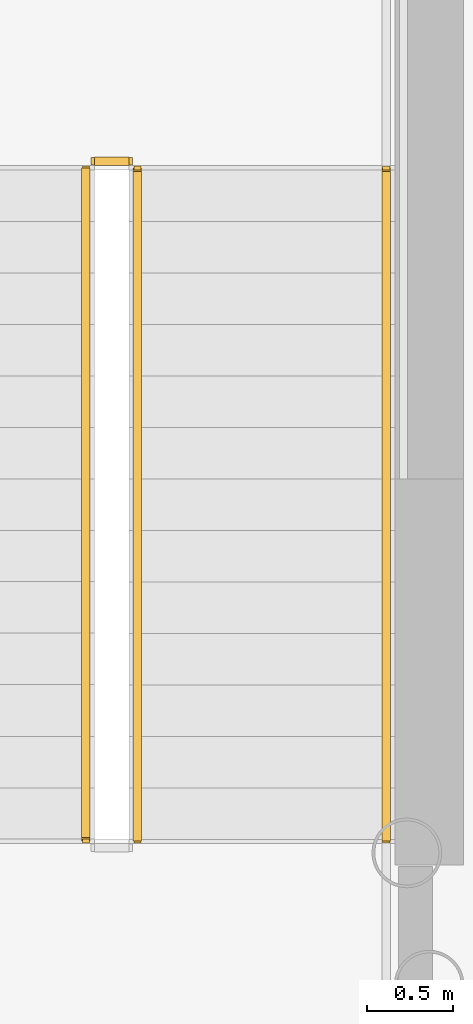
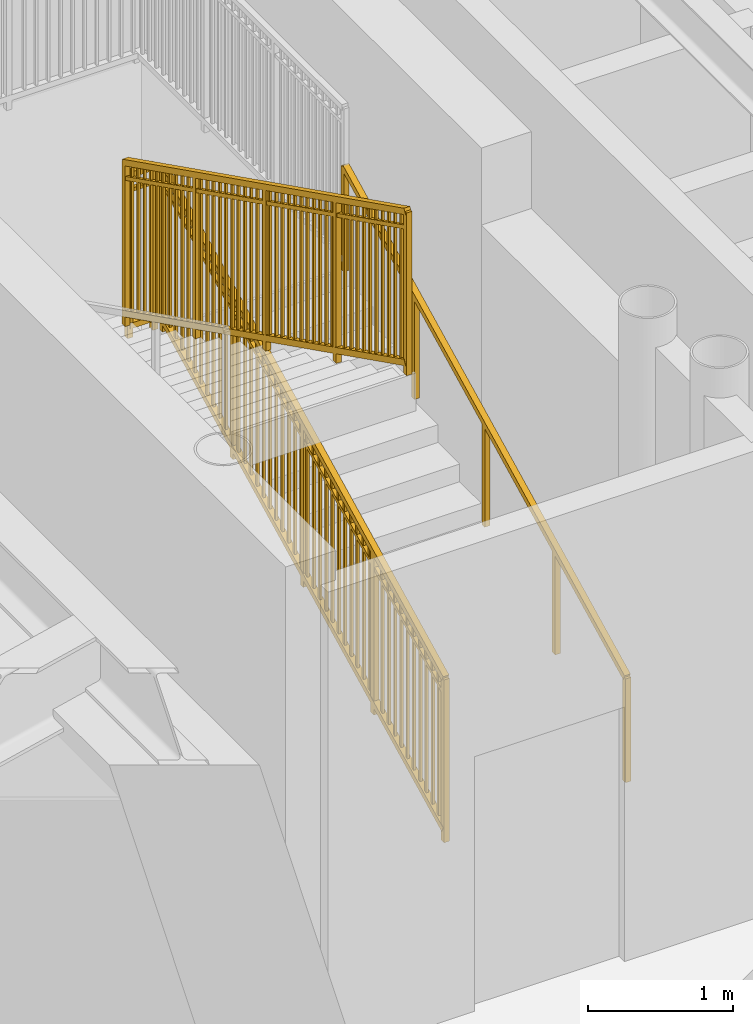
# One storey, part 28 of 35: 4 railings.
"""IFC4 building model written with IfcOpenShell, lengths in metres."""

import ifcopenshell
import ifcopenshell.guid

model = None  # the IFC model being written
_history = None  # IfcOwnerHistory: only IFC2X3 demands one
_inside = {}  # id of a spatial element -> (the spatial element, [elements in it])
_under = {}  # id of a project, library or spatial element -> (it, [spatial elements below it])
_declared = {}  # id of a project -> (the project, [libraries it declares])
_typed = {}  # id of a type object -> (the type object, [elements of that type])
_made_of = {}  # id of a material, layer set ... -> (it, [elements and type objects made of it])


def new_model(schema):
    """Start an empty IFC model of exactly this schema.

    Asked for "IFC4X3", IfcOpenShell would pick the latest addendum, in which some entities
    have other attributes; the version numbers below select the first issue.
    IFC2X3 requires an IfcOwnerHistory on every rooted entity: one is made here for all.
    """
    global model, _history
    if schema == "IFC4X3":
        model = ifcopenshell.file(schema_version=(4, 3, 0, 0))
    else:
        model = ifcopenshell.file(schema=schema)
    _inside.clear()
    _under.clear()
    _declared.clear()
    _typed.clear()
    _made_of.clear()
    _history = None
    if model.schema == "IFC2X3":
        org = make("IfcOrganization", Name="unknown")
        user = make(
            "IfcPersonAndOrganization",
            ThePerson=make("IfcPerson", FamilyName="unknown"),
            TheOrganization=org,
        )
        app = make(
            "IfcApplication",
            ApplicationDeveloper=org,
            Version="unknown",
            ApplicationFullName="unknown",
            ApplicationIdentifier="unknown",
        )
        _history = make(
            "IfcOwnerHistory",
            OwningUser=user,
            OwningApplication=app,
            ChangeAction="ADDED",
            CreationDate=0,
        )
    return model


def make(cls, **values):
    """One entity of the class cls with the attributes given. An attribute that is None is left unset."""
    return model.create_entity(
        cls, **{name: value for name, value in values.items() if value is not None}
    )


def rooted(cls, **values):
    """An entity with a GlobalId (a new one), such as an element, a storey or a relation."""
    return make(cls, GlobalId=ifcopenshell.guid.new(), OwnerHistory=_history, **values)


def si_unit(unit_type, name, prefix=None):
    """IfcSIUnit, for example si_unit("LENGTHUNIT", "METRE", prefix="MILLI")."""
    return make("IfcSIUnit", UnitType=unit_type, Prefix=prefix, Name=name)


def assignment(units):
    """IfcUnitAssignment: the units of a project."""
    return None if units is None else make("IfcUnitAssignment", Units=units)


def point(xyz):
    """IfcCartesianPoint."""
    return None if xyz is None else make("IfcCartesianPoint", Coordinates=xyz)


def direction(xyz):
    """IfcDirection."""
    return None if xyz is None else make("IfcDirection", DirectionRatios=xyz)


def frame(location, z_axis=None, x_axis=None):
    """IfcAxis2Placement3D, a coordinate frame: its origin and axes. An axis left out is left unset."""
    return make(
        "IfcAxis2Placement3D",
        Location=point(location),
        Axis=direction(z_axis),
        RefDirection=direction(x_axis),
    )


def frame_2d(location, x_axis=None):
    """IfcAxis2Placement2D, a coordinate frame in the plane: its origin and x axis."""
    return make(
        "IfcAxis2Placement2D", Location=point(location), RefDirection=direction(x_axis)
    )


def origin():
    """The frame at (0, 0, 0) with its axes left unset."""
    return frame((0.0, 0.0, 0.0))


def origin_2d():
    """The frame at (0, 0) in the plane with its x axis left unset."""
    return frame_2d((0.0, 0.0))


def place(relative_to, where):
    """IfcLocalPlacement: puts the frame where relative to a parent placement (None: the world)."""
    return make(
        "IfcLocalPlacement", PlacementRelTo=relative_to, RelativePlacement=where
    )


def context(
    kind, dimensions, precision=None, world=None, true_north=None, identifier=None
):
    """IfcGeometricRepresentationContext, for example the 3D "Model" context."""
    return make(
        "IfcGeometricRepresentationContext",
        ContextIdentifier=identifier,
        ContextType=kind,
        CoordinateSpaceDimension=dimensions,
        Precision=precision,
        WorldCoordinateSystem=world,
        TrueNorth=true_north,
    )


def subcontext(parent, identifier, kind, view, scale=None):
    """IfcGeometricRepresentationSubContext, for example "Body" below "Model"."""
    return make(
        "IfcGeometricRepresentationSubContext",
        ContextIdentifier=identifier,
        ContextType=kind,
        ParentContext=parent,
        TargetScale=scale,
        TargetView=view,
    )


def project(units=None, contexts=None):
    """IfcProject with its units and contexts."""
    return rooted(
        "IfcProject",
        Name="project",
        RepresentationContexts=contexts,
        UnitsInContext=assignment(units),
    )


def spatial(cls, under=None, at=None, **own):
    """A site, building, storey or space (cls), placed at a placement, below another one or the project."""
    s = rooted(cls, ObjectPlacement=at, **own)
    if under is not None:
        _under.setdefault(under.id(), (under, []))[1].append(s)
    return s


def profile(cls, at=None, kind="AREA", **sizes):
    """A parametric profile (cls). Its sizes go by their IFC names, for example OverallWidth=200.0."""
    return make(cls, ProfileType=kind, Position=at, **sizes)


def rectangle(**sizes):
    """IfcRectangleProfileDef."""
    return profile("IfcRectangleProfileDef", **sizes)


def extrude(swept, where, along, depth):
    """IfcExtrudedAreaSolid: the profile swept, set in the frame where, extruded along a direction by depth."""
    return make(
        "IfcExtrudedAreaSolid",
        SweptArea=swept,
        Position=where,
        ExtrudedDirection=direction(along),
        Depth=depth,
    )


def shape(context_of_items, identifier, shape_type, items):
    """IfcShapeRepresentation: the items that make up one representation, for example the "Body"."""
    return make(
        "IfcShapeRepresentation",
        ContextOfItems=context_of_items,
        RepresentationIdentifier=identifier,
        RepresentationType=shape_type,
        Items=items,
    )


def source(mapping_origin, context_of_items, identifier, shape_type, items):
    """IfcRepresentationMap: a shape defined once, which mapped items show again and again."""
    return make(
        "IfcRepresentationMap",
        MappingOrigin=mapping_origin,
        MappedRepresentation=shape(context_of_items, identifier, shape_type, items),
    )


def transform(
    local_origin,
    x_axis=None,
    y_axis=None,
    z_axis=None,
    scale=None,
    scale2=None,
    scale3=None,
    uniform=True,
):
    """IfcCartesianTransformationOperator3D, or its non-uniform kind. x_axis, y_axis, z_axis: its Axis1, 2, 3."""
    if uniform:
        return make(
            "IfcCartesianTransformationOperator3D",
            Axis1=direction(x_axis),
            Axis2=direction(y_axis),
            LocalOrigin=point(local_origin),
            Scale=scale,
            Axis3=direction(z_axis),
        )
    return make(
        "IfcCartesianTransformationOperator3DnonUniform",
        Axis1=direction(x_axis),
        Axis2=direction(y_axis),
        LocalOrigin=point(local_origin),
        Scale=scale,
        Axis3=direction(z_axis),
        Scale2=scale2,
        Scale3=scale3,
    )


def mapped(mapping_source, mapping_target):
    """IfcMappedItem: shows the shape of a source again, moved by a transform."""
    return make(
        "IfcMappedItem", MappingSource=mapping_source, MappingTarget=mapping_target
    )


def material(Name=None, Category=None):
    """IfcMaterial."""
    return make("IfcMaterial", Name=Name, Category=Category)


def made_of(thing, what):
    """Note that an element or type object is made of a material, layer set ...; save() writes the relation."""
    if what is not None:
        _made_of.setdefault(what.id(), (what, []))[1].append(thing)
    return thing


def type_object(cls, material=None, **own):
    """A type object (cls), such as IfcWallType, which elements share."""
    return made_of(rooted(cls, **own), material)


def element(
    cls,
    number,
    at=None,
    inside=None,
    cuts=None,
    type_object=None,
    material=None,
    context=None,
    identifier="Body",
    shape_type=None,
    held_by="IfcProductDefinitionShape",
    body=None,
    shapes=None,
    **own,
):
    """One element of the class cls, such as IfcWall. Its Tag is "e" and its number.

    at: its placement. inside: the storey or other place that contains it. cuts: it is an
    opening in that element (IfcRelVoidsElement). A single representation is given by context,
    identifier, shape_type and body (its items); several are given by shapes. held_by: the class
    of the entity that holds the representations. save() writes the other relations.
    """
    e = rooted(cls, Tag="e%d" % number, ObjectPlacement=at, **own)
    if body is not None:
        shapes = [shape(context, identifier, shape_type, body)]
    if shapes is not None:
        e.Representation = make(held_by, Representations=shapes)
    if inside is not None:
        _inside.setdefault(inside.id(), (inside, []))[1].append(e)
    if cuts is not None:
        rooted(
            "IfcRelVoidsElement", RelatingBuildingElement=cuts, RelatedOpeningElement=e
        )
    if type_object is not None:
        _typed.setdefault(type_object.id(), (type_object, []))[1].append(e)
    return made_of(e, material)


def aggregate(whole, parts):
    """IfcRelAggregates: a whole, such as a stair, and the parts it consists of."""
    return rooted("IfcRelAggregates", RelatingObject=whole, RelatedObjects=parts)


def save(model, path):
    """Write the relations noted so far, then the file.

    IfcRelAggregates (storeys below a building ...), IfcRelContainedInSpatialStructure (elements
    in a storey), IfcRelDefinesByType, IfcRelAssociatesMaterial and IfcRelDeclares: one each for
    every whole, place, type object, material and project.
    """
    for whole, parts in _under.values():
        aggregate(whole, parts)
    for where, things in _inside.values():
        rooted(
            "IfcRelContainedInSpatialStructure",
            RelatedElements=things,
            RelatingStructure=where,
        )
    for kind, things in _typed.values():
        rooted("IfcRelDefinesByType", RelatedObjects=things, RelatingType=kind)
    for what, things in _made_of.values():
        rooted("IfcRelAssociatesMaterial", RelatedObjects=things, RelatingMaterial=what)
    for by, libraries in _declared.values():
        rooted("IfcRelDeclares", RelatingContext=by, RelatedDefinitions=libraries)
    model.write(path)


model = new_model("IFC4")

# Units and contexts
model_context = context("Model", 3, precision=1e-05, world=origin(), true_north=direction((0.0, 1.0)))
body_context = subcontext(model_context, "Body", "Model", "MODEL_VIEW")
ifc_project = project(units=[si_unit("LENGTHUNIT", "METRE"), si_unit("AREAUNIT", "SQUARE_METRE"), si_unit("VOLUMEUNIT", "CUBIC_METRE"), si_unit("PLANEANGLEUNIT", "RADIAN"), si_unit("MASSUNIT", "GRAM", prefix="KILO")], contexts=[model_context])

# Site, building, storey
site_placement = place(None, origin())
site = spatial("IfcSite", under=ifc_project, at=site_placement, CompositionType="ELEMENT")
building_placement = place(site_placement, origin())
building = spatial("IfcBuilding", under=site, at=building_placement, Name="Linh Dai School and Residence Tower", CompositionType="ELEMENT")
storey_placement = place(building_placement, frame((0.0, 0.0, 49.199951171875)))
storey = spatial("IfcBuildingStorey", under=building, at=storey_placement, Name="L11", CompositionType="ELEMENT", Elevation=49.199951171875)

# Railings
ifc_material_1 = material(Name="Structural Steel S355JR", Category="steel")
railing_type_1 = type_object("IfcRailingType", Name="RL-ST-GUARD-1400", PredefinedType="GUARDRAIL", material=ifc_material_1)
shared_shape_1 = source(origin(), body_context, "Body", "SweptSolid", [
    extrude(rectangle(XDim=0.048095703125, YDim=0.048095703125, at=origin_2d()), frame((0.0, 0.0, 1.3759765625), z_axis=(-1.0, 0.0, 0.0), x_axis=(0.0, -1.0, 0.0)), (0.0, 0.0, 1.0), 0.199951171875),
    extrude(rectangle(XDim=0.048095703125, YDim=0.048095703125, at=origin_2d()), frame((0.0, 0.0, 0.10009765625), z_axis=(-1.0, 0.0, 0.0), x_axis=(0.0, -1.0, 0.0)), (0.0, 0.0, 1.0), 0.199951171875),
    extrude(rectangle(XDim=0.030029296875, YDim=0.030029296875, at=origin_2d()), frame((0.0, 0.0, 1.239990234375), z_axis=(-1.0, 0.0, 0.0), x_axis=(0.0, -1.0, 0.0)), (0.0, 0.0, 1.0), 0.199951171875),
    extrude(rectangle(XDim=0.0419921875, YDim=0.0419921875, at=origin_2d()), origin(), (0.0, 0.0, 1.0), 1.3759765625),
    extrude(rectangle(XDim=0.0419921875, YDim=0.0419921875, at=origin_2d()), frame((-0.199951171875, 0.0, 0.0)), (0.0, 0.0, 1.0), 1.3759765625),
])
railing_1_placement = place(storey_placement, frame((29.429931640625, 29.64990234375, 2.10009765625)))
element("IfcRailing", 1, at=railing_1_placement, inside=storey, type_object=railing_type_1, Name="L11 ST1 stair guard 2", PredefinedType="GUARDRAIL", context=body_context, shape_type="MappedRepresentation", body=[
    mapped(shared_shape_1, transform((0.0, 0.0, 0.0), x_axis=(1.0, 0.0, 0.0), y_axis=(0.0, 1.0, 0.0), z_axis=(0.0, 0.0, 1.0), scale=1.0)),
])
shared_shape_2 = source(origin(), body_context, "Body", "SweptSolid", [
    extrude(rectangle(XDim=0.048095703125, YDim=0.048095703125, at=origin_2d()), frame((0.0, 0.0, 1.3759765625), z_axis=(0.0, -0.894438388696, 0.447191199406), x_axis=(1.0, 0.0, 0.0)), (0.0, 0.0, 1.0), 4.3603515625),
    extrude(rectangle(XDim=0.048095703125, YDim=0.048095703125, at=origin_2d()), frame((0.0, 0.0, 0.10009765625), z_axis=(0.0, -0.894438388696, 0.447191199406), x_axis=(1.0, 0.0, 0.0)), (0.0, 0.0, 1.0), 4.3603515625),
    extrude(rectangle(XDim=0.030029296875, YDim=0.030029296875, at=origin_2d()), frame((0.0, 0.0, 1.239990234375), z_axis=(0.0, -0.894438388696, 0.447191199406), x_axis=(1.0, 0.0, 0.0)), (0.0, 0.0, 1.0), 4.3603515625),
    extrude(rectangle(XDim=0.02001953125, YDim=0.02001953125, at=origin_2d()), frame((0.0, -0.086669921875, 0.143310546875)), (0.0, 0.0, 1.0), 1.251708984375),
    extrude(rectangle(XDim=0.02001953125, YDim=0.02001953125, at=origin_2d()), frame((0.0, -0.17333984375, 0.186767578125)), (0.0, 0.0, 1.0), 1.251708984375),
    extrude(rectangle(XDim=0.02001953125, YDim=0.02001953125, at=origin_2d()), frame((0.0, -0.260009765625, 0.22998046875)), (0.0, 0.0, 1.0), 1.251708984375),
    extrude(rectangle(XDim=0.02001953125, YDim=0.02001953125, at=origin_2d()), frame((0.0, -0.3466796875, 0.2734375)), (0.0, 0.0, 1.0), 1.251708984375),
    extrude(rectangle(XDim=0.02001953125, YDim=0.02001953125, at=origin_2d()), frame((0.0, -0.433349609375, 0.316650390625)), (0.0, 0.0, 1.0), 1.251708984375),
    extrude(rectangle(XDim=0.02001953125, YDim=0.02001953125, at=origin_2d()), frame((0.0, -0.52001953125, 0.360107421875)), (0.0, 0.0, 1.0), 1.251708984375),
    extrude(rectangle(XDim=0.02001953125, YDim=0.02001953125, at=origin_2d()), frame((0.0, -0.606689453125, 0.4033203125)), (0.0, 0.0, 1.0), 1.251708984375),
    extrude(rectangle(XDim=0.02001953125, YDim=0.02001953125, at=origin_2d()), frame((0.0, -0.693359375, 0.44677734375)), (0.0, 0.0, 1.0), 1.251708984375),
    extrude(rectangle(XDim=0.02001953125, YDim=0.02001953125, at=origin_2d()), frame((0.0, -0.780029296875, 0.489990234375)), (0.0, 0.0, 1.0), 1.251708984375),
    extrude(rectangle(XDim=0.02001953125, YDim=0.02001953125, at=origin_2d()), frame((0.0, -0.86669921875, 0.533447265625)), (0.0, 0.0, 1.0), 1.251708984375),
    extrude(rectangle(XDim=0.02001953125, YDim=0.02001953125, at=origin_2d()), frame((0.0, -1.0400390625, 0.6201171875)), (0.0, 0.0, 1.0), 1.251708984375),
    extrude(rectangle(XDim=0.02001953125, YDim=0.02001953125, at=origin_2d()), frame((0.0, -1.126708984375, 0.663330078125)), (0.0, 0.0, 1.0), 1.251708984375),
    extrude(rectangle(XDim=0.02001953125, YDim=0.02001953125, at=origin_2d()), frame((0.0, -1.21337890625, 0.706787109375)), (0.0, 0.0, 1.0), 1.251708984375),
    extrude(rectangle(XDim=0.02001953125, YDim=0.02001953125, at=origin_2d()), frame((0.0, -1.300048828125, 0.75)), (0.0, 0.0, 1.0), 1.251708984375),
    extrude(rectangle(XDim=0.02001953125, YDim=0.02001953125, at=origin_2d()), frame((0.0, -1.38671875, 0.79345703125)), (0.0, 0.0, 1.0), 1.251708984375),
    extrude(rectangle(XDim=0.02001953125, YDim=0.02001953125, at=origin_2d()), frame((0.0, -1.473388671875, 0.836669921875)), (0.0, 0.0, 1.0), 1.251708984375),
    extrude(rectangle(XDim=0.02001953125, YDim=0.02001953125, at=origin_2d()), frame((0.0, -1.56005859375, 0.880126953125)), (0.0, 0.0, 1.0), 1.251708984375),
    extrude(rectangle(XDim=0.02001953125, YDim=0.02001953125, at=origin_2d()), frame((0.0, -1.646728515625, 0.92333984375)), (0.0, 0.0, 1.0), 1.251708984375),
    extrude(rectangle(XDim=0.02001953125, YDim=0.02001953125, at=origin_2d()), frame((0.0, -1.7333984375, 0.966796875)), (0.0, 0.0, 1.0), 1.251708984375),
    extrude(rectangle(XDim=0.02001953125, YDim=0.02001953125, at=origin_2d()), frame((0.0, -1.820068359375, 1.010009765625)), (0.0, 0.0, 1.0), 1.251708984375),
    extrude(rectangle(XDim=0.02001953125, YDim=0.02001953125, at=origin_2d()), frame((0.0, -1.90673828125, 1.053466796875)), (0.0, 0.0, 1.0), 1.251708984375),
    extrude(rectangle(XDim=0.02001953125, YDim=0.02001953125, at=origin_2d()), frame((0.0, -1.993408203125, 1.0966796875)), (0.0, 0.0, 1.0), 1.251708984375),
    extrude(rectangle(XDim=0.02001953125, YDim=0.02001953125, at=origin_2d()), frame((0.0, -2.080078125, 1.14013671875)), (0.0, 0.0, 1.0), 1.251708984375),
    extrude(rectangle(XDim=0.02001953125, YDim=0.02001953125, at=origin_2d()), frame((0.0, -2.166748046875, 1.183349609375)), (0.0, 0.0, 1.0), 1.251708984375),
    extrude(rectangle(XDim=0.02001953125, YDim=0.02001953125, at=origin_2d()), frame((0.0, -2.25341796875, 1.226806640625)), (0.0, 0.0, 1.0), 1.251708984375),
    extrude(rectangle(XDim=0.02001953125, YDim=0.02001953125, at=origin_2d()), frame((0.0, -2.340087890625, 1.27001953125)), (0.0, 0.0, 1.0), 1.251708984375),
    extrude(rectangle(XDim=0.02001953125, YDim=0.02001953125, at=origin_2d()), frame((0.0, -2.4267578125, 1.3134765625)), (0.0, 0.0, 1.0), 1.251708984375),
    extrude(rectangle(XDim=0.02001953125, YDim=0.02001953125, at=origin_2d()), frame((0.0, -2.513427734375, 1.356689453125)), (0.0, 0.0, 1.0), 1.251708984375),
    extrude(rectangle(XDim=0.02001953125, YDim=0.02001953125, at=origin_2d()), frame((0.0, -2.60009765625, 1.400146484375)), (0.0, 0.0, 1.0), 1.251708984375),
    extrude(rectangle(XDim=0.02001953125, YDim=0.02001953125, at=origin_2d()), frame((0.0, -2.686767578125, 1.443359375)), (0.0, 0.0, 1.0), 1.251708984375),
    extrude(rectangle(XDim=0.02001953125, YDim=0.02001953125, at=origin_2d()), frame((0.0, -2.7734375, 1.48681640625)), (0.0, 0.0, 1.0), 1.251708984375),
    extrude(rectangle(XDim=0.02001953125, YDim=0.02001953125, at=origin_2d()), frame((0.0, -2.860107421875, 1.530029296875)), (0.0, 0.0, 1.0), 1.251708984375),
    extrude(rectangle(XDim=0.02001953125, YDim=0.02001953125, at=origin_2d()), frame((0.0, -3.033447265625, 1.61669921875)), (0.0, 0.0, 1.0), 1.251708984375),
    extrude(rectangle(XDim=0.02001953125, YDim=0.02001953125, at=origin_2d()), frame((0.0, -3.1201171875, 1.66015625)), (0.0, 0.0, 1.0), 1.251708984375),
    extrude(rectangle(XDim=0.02001953125, YDim=0.02001953125, at=origin_2d()), frame((0.0, -3.206787109375, 1.703369140625)), (0.0, 0.0, 1.0), 1.251708984375),
    extrude(rectangle(XDim=0.02001953125, YDim=0.02001953125, at=origin_2d()), frame((0.0, -3.29345703125, 1.746826171875)), (0.0, 0.0, 1.0), 1.251708984375),
    extrude(rectangle(XDim=0.02001953125, YDim=0.02001953125, at=origin_2d()), frame((0.0, -3.380126953125, 1.7900390625)), (0.0, 0.0, 1.0), 1.251708984375),
    extrude(rectangle(XDim=0.02001953125, YDim=0.02001953125, at=origin_2d()), frame((0.0, -3.466796875, 1.83349609375)), (0.0, 0.0, 1.0), 1.251708984375),
    extrude(rectangle(XDim=0.02001953125, YDim=0.02001953125, at=origin_2d()), frame((0.0, -3.553466796875, 1.876708984375)), (0.0, 0.0, 1.0), 1.251708984375),
    extrude(rectangle(XDim=0.02001953125, YDim=0.02001953125, at=origin_2d()), frame((0.0, -3.64013671875, 1.920166015625)), (0.0, 0.0, 1.0), 1.251708984375),
    extrude(rectangle(XDim=0.02001953125, YDim=0.02001953125, at=origin_2d()), frame((0.0, -3.726806640625, 1.96337890625)), (0.0, 0.0, 1.0), 1.251708984375),
    extrude(rectangle(XDim=0.02001953125, YDim=0.02001953125, at=origin_2d()), frame((0.0, -3.8134765625, 2.0068359375)), (0.0, 0.0, 1.0), 1.251708984375),
    extrude(rectangle(XDim=0.0419921875, YDim=0.0419921875, at=origin_2d()), origin(), (0.0, 0.0, 1.0), 1.3759765625),
    extrude(rectangle(XDim=0.0419921875, YDim=0.0419921875, at=origin_2d()), frame((0.0, -0.97509765625, 0.487548828125)), (0.0, 0.0, 1.0), 1.3759765625),
    extrude(rectangle(XDim=0.0419921875, YDim=0.0419921875, at=origin_2d()), frame((0.0, -1.9501953125, 0.97509765625)), (0.0, 0.0, 1.0), 1.3759765625),
    extrude(rectangle(XDim=0.0419921875, YDim=0.0419921875, at=origin_2d()), frame((0.0, -2.925048828125, 1.46240234375)), (0.0, 0.0, 1.0), 1.3759765625),
    extrude(rectangle(XDim=0.0419921875, YDim=0.0419921875, at=origin_2d()), frame((0.0, -3.900146484375, 1.949951171875)), (0.0, 0.0, 1.0), 1.3759765625),
])
railing_2_placement = place(storey_placement, frame((29.179931640625, 29.60009765625, 2.25)))
element("IfcRailing", 2, at=railing_2_placement, inside=storey, type_object=railing_type_1, Name="L11 ST1 stair guard 6", PredefinedType="GUARDRAIL", context=body_context, shape_type="MappedRepresentation", body=[
    mapped(shared_shape_2, transform((0.0, 0.0, 0.0), x_axis=(1.0, 0.0, 0.0), y_axis=(0.0, 1.0, 0.0), z_axis=(0.0, 0.0, 1.0), scale=1.0)),
])
shared_shape_3 = source(origin(), body_context, "Body", "SweptSolid", [
    extrude(rectangle(XDim=0.048095703125, YDim=0.048095703125, at=origin_2d()), frame((0.0, 0.0, 1.3759765625), z_axis=(0.0, 0.894438388696, 0.447191199406), x_axis=(-1.0, 0.0, 0.0)), (0.0, 0.0, 1.0), 4.3603515625),
    extrude(rectangle(XDim=0.048095703125, YDim=0.048095703125, at=origin_2d()), frame((0.0, 0.0, 0.10009765625), z_axis=(0.0, 0.894438388696, 0.447191199406), x_axis=(-1.0, 0.0, 0.0)), (0.0, 0.0, 1.0), 4.3603515625),
    extrude(rectangle(XDim=0.030029296875, YDim=0.030029296875, at=origin_2d()), frame((0.0, 0.0, 1.239990234375), z_axis=(0.0, 0.894438388696, 0.447191199406), x_axis=(-1.0, 0.0, 0.0)), (0.0, 0.0, 1.0), 4.3603515625),
    extrude(rectangle(XDim=0.02001953125, YDim=0.02001953125, at=origin_2d()), frame((0.0, 0.086669921875, 0.143310546875)), (0.0, 0.0, 1.0), 1.251708984375),
    extrude(rectangle(XDim=0.02001953125, YDim=0.02001953125, at=origin_2d()), frame((0.0, 0.17333984375, 0.186767578125)), (0.0, 0.0, 1.0), 1.251708984375),
    extrude(rectangle(XDim=0.02001953125, YDim=0.02001953125, at=origin_2d()), frame((0.0, 0.260009765625, 0.22998046875)), (0.0, 0.0, 1.0), 1.251708984375),
    extrude(rectangle(XDim=0.02001953125, YDim=0.02001953125, at=origin_2d()), frame((0.0, 0.3466796875, 0.2734375)), (0.0, 0.0, 1.0), 1.251708984375),
    extrude(rectangle(XDim=0.02001953125, YDim=0.02001953125, at=origin_2d()), frame((0.0, 0.433349609375, 0.316650390625)), (0.0, 0.0, 1.0), 1.251708984375),
    extrude(rectangle(XDim=0.02001953125, YDim=0.02001953125, at=origin_2d()), frame((0.0, 0.52001953125, 0.360107421875)), (0.0, 0.0, 1.0), 1.251708984375),
    extrude(rectangle(XDim=0.02001953125, YDim=0.02001953125, at=origin_2d()), frame((0.0, 0.606689453125, 0.4033203125)), (0.0, 0.0, 1.0), 1.251708984375),
    extrude(rectangle(XDim=0.02001953125, YDim=0.02001953125, at=origin_2d()), frame((0.0, 0.693359375, 0.44677734375)), (0.0, 0.0, 1.0), 1.251708984375),
    extrude(rectangle(XDim=0.02001953125, YDim=0.02001953125, at=origin_2d()), frame((0.0, 0.780029296875, 0.489990234375)), (0.0, 0.0, 1.0), 1.251708984375),
    extrude(rectangle(XDim=0.02001953125, YDim=0.02001953125, at=origin_2d()), frame((0.0, 0.86669921875, 0.533447265625)), (0.0, 0.0, 1.0), 1.251708984375),
    extrude(rectangle(XDim=0.02001953125, YDim=0.02001953125, at=origin_2d()), frame((0.0, 1.0400390625, 0.6201171875)), (0.0, 0.0, 1.0), 1.251708984375),
    extrude(rectangle(XDim=0.02001953125, YDim=0.02001953125, at=origin_2d()), frame((0.0, 1.126708984375, 0.663330078125)), (0.0, 0.0, 1.0), 1.251708984375),
    extrude(rectangle(XDim=0.02001953125, YDim=0.02001953125, at=origin_2d()), frame((0.0, 1.21337890625, 0.706787109375)), (0.0, 0.0, 1.0), 1.251708984375),
    extrude(rectangle(XDim=0.02001953125, YDim=0.02001953125, at=origin_2d()), frame((0.0, 1.300048828125, 0.75)), (0.0, 0.0, 1.0), 1.251708984375),
    extrude(rectangle(XDim=0.02001953125, YDim=0.02001953125, at=origin_2d()), frame((0.0, 1.38671875, 0.79345703125)), (0.0, 0.0, 1.0), 1.251708984375),
    extrude(rectangle(XDim=0.02001953125, YDim=0.02001953125, at=origin_2d()), frame((0.0, 1.473388671875, 0.836669921875)), (0.0, 0.0, 1.0), 1.251708984375),
    extrude(rectangle(XDim=0.02001953125, YDim=0.02001953125, at=origin_2d()), frame((0.0, 1.56005859375, 0.880126953125)), (0.0, 0.0, 1.0), 1.251708984375),
    extrude(rectangle(XDim=0.02001953125, YDim=0.02001953125, at=origin_2d()), frame((0.0, 1.646728515625, 0.92333984375)), (0.0, 0.0, 1.0), 1.251708984375),
    extrude(rectangle(XDim=0.02001953125, YDim=0.02001953125, at=origin_2d()), frame((0.0, 1.7333984375, 0.966796875)), (0.0, 0.0, 1.0), 1.251708984375),
    extrude(rectangle(XDim=0.02001953125, YDim=0.02001953125, at=origin_2d()), frame((0.0, 1.820068359375, 1.010009765625)), (0.0, 0.0, 1.0), 1.251708984375),
    extrude(rectangle(XDim=0.02001953125, YDim=0.02001953125, at=origin_2d()), frame((0.0, 1.90673828125, 1.053466796875)), (0.0, 0.0, 1.0), 1.251708984375),
    extrude(rectangle(XDim=0.02001953125, YDim=0.02001953125, at=origin_2d()), frame((0.0, 1.993408203125, 1.0966796875)), (0.0, 0.0, 1.0), 1.251708984375),
    extrude(rectangle(XDim=0.02001953125, YDim=0.02001953125, at=origin_2d()), frame((0.0, 2.080078125, 1.14013671875)), (0.0, 0.0, 1.0), 1.251708984375),
    extrude(rectangle(XDim=0.02001953125, YDim=0.02001953125, at=origin_2d()), frame((0.0, 2.166748046875, 1.183349609375)), (0.0, 0.0, 1.0), 1.251708984375),
    extrude(rectangle(XDim=0.02001953125, YDim=0.02001953125, at=origin_2d()), frame((0.0, 2.25341796875, 1.226806640625)), (0.0, 0.0, 1.0), 1.251708984375),
    extrude(rectangle(XDim=0.02001953125, YDim=0.02001953125, at=origin_2d()), frame((0.0, 2.340087890625, 1.27001953125)), (0.0, 0.0, 1.0), 1.251708984375),
    extrude(rectangle(XDim=0.02001953125, YDim=0.02001953125, at=origin_2d()), frame((0.0, 2.4267578125, 1.3134765625)), (0.0, 0.0, 1.0), 1.251708984375),
    extrude(rectangle(XDim=0.02001953125, YDim=0.02001953125, at=origin_2d()), frame((0.0, 2.513427734375, 1.356689453125)), (0.0, 0.0, 1.0), 1.251708984375),
    extrude(rectangle(XDim=0.02001953125, YDim=0.02001953125, at=origin_2d()), frame((0.0, 2.60009765625, 1.400146484375)), (0.0, 0.0, 1.0), 1.251708984375),
    extrude(rectangle(XDim=0.02001953125, YDim=0.02001953125, at=origin_2d()), frame((0.0, 2.686767578125, 1.443359375)), (0.0, 0.0, 1.0), 1.251708984375),
    extrude(rectangle(XDim=0.02001953125, YDim=0.02001953125, at=origin_2d()), frame((0.0, 2.7734375, 1.48681640625)), (0.0, 0.0, 1.0), 1.251708984375),
    extrude(rectangle(XDim=0.02001953125, YDim=0.02001953125, at=origin_2d()), frame((0.0, 2.860107421875, 1.530029296875)), (0.0, 0.0, 1.0), 1.251708984375),
    extrude(rectangle(XDim=0.02001953125, YDim=0.02001953125, at=origin_2d()), frame((0.0, 3.033447265625, 1.61669921875)), (0.0, 0.0, 1.0), 1.251708984375),
    extrude(rectangle(XDim=0.02001953125, YDim=0.02001953125, at=origin_2d()), frame((0.0, 3.1201171875, 1.66015625)), (0.0, 0.0, 1.0), 1.251708984375),
    extrude(rectangle(XDim=0.02001953125, YDim=0.02001953125, at=origin_2d()), frame((0.0, 3.206787109375, 1.703369140625)), (0.0, 0.0, 1.0), 1.251708984375),
    extrude(rectangle(XDim=0.02001953125, YDim=0.02001953125, at=origin_2d()), frame((0.0, 3.29345703125, 1.746826171875)), (0.0, 0.0, 1.0), 1.251708984375),
    extrude(rectangle(XDim=0.02001953125, YDim=0.02001953125, at=origin_2d()), frame((0.0, 3.380126953125, 1.7900390625)), (0.0, 0.0, 1.0), 1.251708984375),
    extrude(rectangle(XDim=0.02001953125, YDim=0.02001953125, at=origin_2d()), frame((0.0, 3.466796875, 1.83349609375)), (0.0, 0.0, 1.0), 1.251708984375),
    extrude(rectangle(XDim=0.02001953125, YDim=0.02001953125, at=origin_2d()), frame((0.0, 3.553466796875, 1.876708984375)), (0.0, 0.0, 1.0), 1.251708984375),
    extrude(rectangle(XDim=0.02001953125, YDim=0.02001953125, at=origin_2d()), frame((0.0, 3.64013671875, 1.920166015625)), (0.0, 0.0, 1.0), 1.251708984375),
    extrude(rectangle(XDim=0.02001953125, YDim=0.02001953125, at=origin_2d()), frame((0.0, 3.726806640625, 1.96337890625)), (0.0, 0.0, 1.0), 1.251708984375),
    extrude(rectangle(XDim=0.02001953125, YDim=0.02001953125, at=origin_2d()), frame((0.0, 3.8134765625, 2.0068359375)), (0.0, 0.0, 1.0), 1.251708984375),
    extrude(rectangle(XDim=0.0419921875, YDim=0.0419921875, at=origin_2d()), origin(), (0.0, 0.0, 1.0), 1.3759765625),
    extrude(rectangle(XDim=0.0419921875, YDim=0.0419921875, at=origin_2d()), frame((0.0, 0.97509765625, 0.487548828125)), (0.0, 0.0, 1.0), 1.3759765625),
    extrude(rectangle(XDim=0.0419921875, YDim=0.0419921875, at=origin_2d()), frame((0.0, 1.9501953125, 0.97509765625)), (0.0, 0.0, 1.0), 1.3759765625),
    extrude(rectangle(XDim=0.0419921875, YDim=0.0419921875, at=origin_2d()), frame((0.0, 2.925048828125, 1.46240234375)), (0.0, 0.0, 1.0), 1.3759765625),
    extrude(rectangle(XDim=0.0419921875, YDim=0.0419921875, at=origin_2d()), frame((0.0, 3.900146484375, 1.949951171875)), (0.0, 0.0, 1.0), 1.3759765625),
])
railing_3_placement = place(storey_placement, frame((29.47998046875, 25.699951171875, 0.150146484375)))
element("IfcRailing", 3, at=railing_3_placement, inside=storey, type_object=railing_type_1, Name="L11 ST1 stair guard 1", PredefinedType="GUARDRAIL", context=body_context, shape_type="MappedRepresentation", body=[
    mapped(shared_shape_3, transform((0.0, 0.0, 0.0), x_axis=(1.0, 0.0, 0.0), y_axis=(0.0, 1.0, 0.0), z_axis=(0.0, 0.0, 1.0), scale=1.0)),
])
ifc_material_2 = material(Name="Brushed Stainless Steel Handrail", Category="steel")
railing_type_2 = type_object("IfcRailingType", Name="RL-ST-HANDRAIL-900", PredefinedType="HANDRAIL", material=ifc_material_2)
shared_shape_4 = source(origin(), body_context, "Body", "SweptSolid", [
    extrude(rectangle(XDim=0.048095703125, YDim=0.048095703125, at=origin_2d()), frame((0.0, 0.0, 0.8759765625), z_axis=(0.0, 0.894438388696, 0.447191199406), x_axis=(-1.0, 0.0, 0.0)), (0.0, 0.0, 1.0), 4.3603515625),
    extrude(rectangle(XDim=0.0419921875, YDim=0.0419921875, at=origin_2d()), origin(), (0.0, 0.0, 1.0), 0.8759765625),
    extrude(rectangle(XDim=0.0419921875, YDim=0.0419921875, at=origin_2d()), frame((0.0, 0.97509765625, 0.487548828125)), (0.0, 0.0, 1.0), 0.8759765625),
    extrude(rectangle(XDim=0.0419921875, YDim=0.0419921875, at=origin_2d()), frame((0.0, 1.9501953125, 0.97509765625)), (0.0, 0.0, 1.0), 0.8759765625),
    extrude(rectangle(XDim=0.0419921875, YDim=0.0419921875, at=origin_2d()), frame((0.0, 2.925048828125, 1.46240234375)), (0.0, 0.0, 1.0), 0.8759765625),
    extrude(rectangle(XDim=0.0419921875, YDim=0.0419921875, at=origin_2d()), frame((0.0, 3.900146484375, 1.949951171875)), (0.0, 0.0, 1.0), 0.8759765625),
])
railing_4_placement = place(storey_placement, frame((30.929931640625, 25.699951171875, 0.150146484375)))
element("IfcRailing", 4, at=railing_4_placement, inside=storey, type_object=railing_type_2, Name="L11 ST1 stair handrail 1", PredefinedType="HANDRAIL", context=body_context, shape_type="MappedRepresentation", body=[
    mapped(shared_shape_4, transform((0.0, 0.0, 0.0), x_axis=(1.0, 0.0, 0.0), y_axis=(0.0, 1.0, 0.0), z_axis=(0.0, 0.0, 1.0), scale=1.0)),
])

save(model, "model.ifc")
